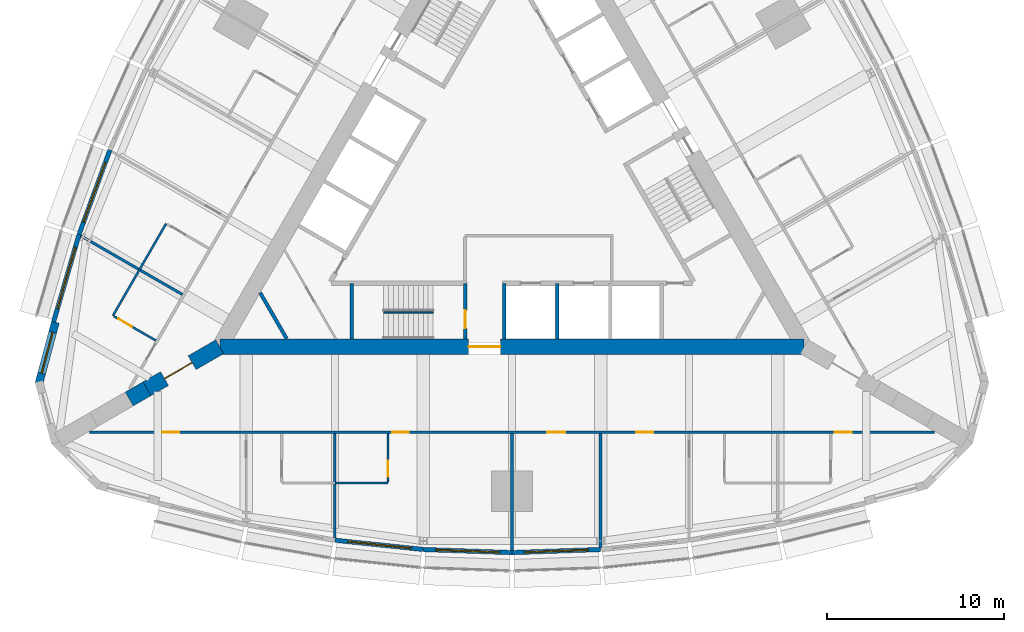
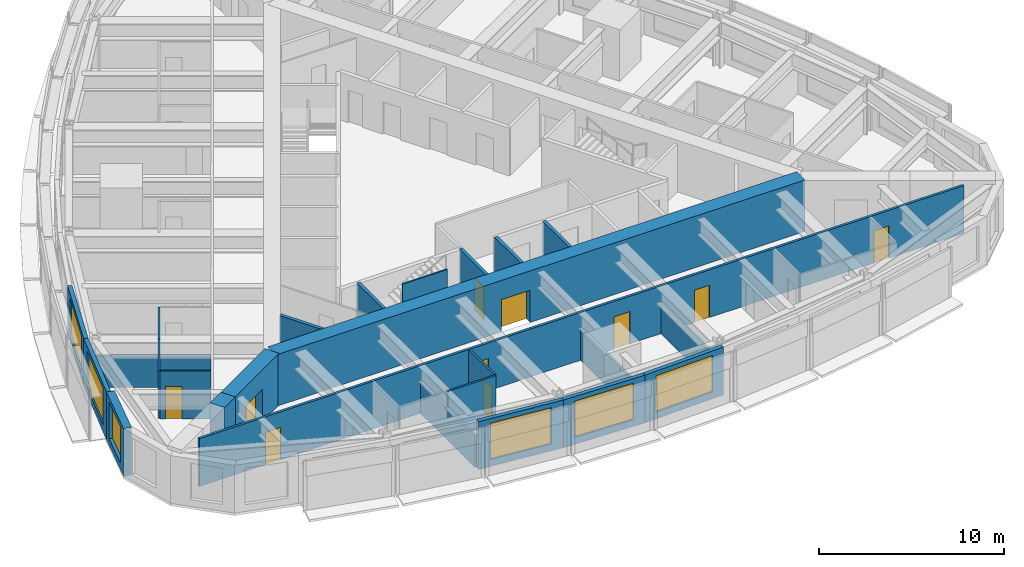
# One storey, part 9 of 15: 25 walls, 10 doors, 6 windows, 16 openings.
"""IFC4 building model written with IfcOpenShell, lengths in metres."""

import ifcopenshell
import ifcopenshell.guid

model = None  # the IFC model being written
_history = None  # IfcOwnerHistory: only IFC2X3 demands one
_inside = {}  # id of a spatial element -> (the spatial element, [elements in it])
_under = {}  # id of a project, library or spatial element -> (it, [spatial elements below it])
_declared = {}  # id of a project -> (the project, [libraries it declares])
_typed = {}  # id of a type object -> (the type object, [elements of that type])
_made_of = {}  # id of a material, layer set ... -> (it, [elements and type objects made of it])


def new_model(schema):
    """Start an empty IFC model of exactly this schema.

    Asked for "IFC4X3", IfcOpenShell would pick the latest addendum, in which some entities
    have other attributes; the version numbers below select the first issue.
    IFC2X3 requires an IfcOwnerHistory on every rooted entity: one is made here for all.
    """
    global model, _history
    if schema == "IFC4X3":
        model = ifcopenshell.file(schema_version=(4, 3, 0, 0))
    else:
        model = ifcopenshell.file(schema=schema)
    _inside.clear()
    _under.clear()
    _declared.clear()
    _typed.clear()
    _made_of.clear()
    _history = None
    if model.schema == "IFC2X3":
        org = make("IfcOrganization", Name="unknown")
        user = make(
            "IfcPersonAndOrganization",
            ThePerson=make("IfcPerson", FamilyName="unknown"),
            TheOrganization=org,
        )
        app = make(
            "IfcApplication",
            ApplicationDeveloper=org,
            Version="unknown",
            ApplicationFullName="unknown",
            ApplicationIdentifier="unknown",
        )
        _history = make(
            "IfcOwnerHistory",
            OwningUser=user,
            OwningApplication=app,
            ChangeAction="ADDED",
            CreationDate=0,
        )
    return model


def make(cls, **values):
    """One entity of the class cls with the attributes given. An attribute that is None is left unset."""
    return model.create_entity(
        cls, **{name: value for name, value in values.items() if value is not None}
    )


def rooted(cls, **values):
    """An entity with a GlobalId (a new one), such as an element, a storey or a relation."""
    return make(cls, GlobalId=ifcopenshell.guid.new(), OwnerHistory=_history, **values)


def si_unit(unit_type, name, prefix=None):
    """IfcSIUnit, for example si_unit("LENGTHUNIT", "METRE", prefix="MILLI")."""
    return make("IfcSIUnit", UnitType=unit_type, Prefix=prefix, Name=name)


def assignment(units):
    """IfcUnitAssignment: the units of a project."""
    return None if units is None else make("IfcUnitAssignment", Units=units)


def point(xyz):
    """IfcCartesianPoint."""
    return None if xyz is None else make("IfcCartesianPoint", Coordinates=xyz)


def direction(xyz):
    """IfcDirection."""
    return None if xyz is None else make("IfcDirection", DirectionRatios=xyz)


def frame(location, z_axis=None, x_axis=None):
    """IfcAxis2Placement3D, a coordinate frame: its origin and axes. An axis left out is left unset."""
    return make(
        "IfcAxis2Placement3D",
        Location=point(location),
        Axis=direction(z_axis),
        RefDirection=direction(x_axis),
    )


def frame_2d(location, x_axis=None):
    """IfcAxis2Placement2D, a coordinate frame in the plane: its origin and x axis."""
    return make(
        "IfcAxis2Placement2D", Location=point(location), RefDirection=direction(x_axis)
    )


def origin():
    """The frame at (0, 0, 0) with its axes left unset."""
    return frame((0.0, 0.0, 0.0))


def place(relative_to, where):
    """IfcLocalPlacement: puts the frame where relative to a parent placement (None: the world)."""
    return make(
        "IfcLocalPlacement", PlacementRelTo=relative_to, RelativePlacement=where
    )


def context(
    kind, dimensions, precision=None, world=None, true_north=None, identifier=None
):
    """IfcGeometricRepresentationContext, for example the 3D "Model" context."""
    return make(
        "IfcGeometricRepresentationContext",
        ContextIdentifier=identifier,
        ContextType=kind,
        CoordinateSpaceDimension=dimensions,
        Precision=precision,
        WorldCoordinateSystem=world,
        TrueNorth=true_north,
    )


def subcontext(parent, identifier, kind, view, scale=None):
    """IfcGeometricRepresentationSubContext, for example "Body" below "Model"."""
    return make(
        "IfcGeometricRepresentationSubContext",
        ContextIdentifier=identifier,
        ContextType=kind,
        ParentContext=parent,
        TargetScale=scale,
        TargetView=view,
    )


def project(units=None, contexts=None):
    """IfcProject with its units and contexts."""
    return rooted(
        "IfcProject",
        Name="project",
        RepresentationContexts=contexts,
        UnitsInContext=assignment(units),
    )


def spatial(cls, under=None, at=None, **own):
    """A site, building, storey or space (cls), placed at a placement, below another one or the project."""
    s = rooted(cls, ObjectPlacement=at, **own)
    if under is not None:
        _under.setdefault(under.id(), (under, []))[1].append(s)
    return s


def profile(cls, at=None, kind="AREA", **sizes):
    """A parametric profile (cls). Its sizes go by their IFC names, for example OverallWidth=200.0."""
    return make(cls, ProfileType=kind, Position=at, **sizes)


def rectangle(**sizes):
    """IfcRectangleProfileDef."""
    return profile("IfcRectangleProfileDef", **sizes)


def extrude(swept, where, along, depth):
    """IfcExtrudedAreaSolid: the profile swept, set in the frame where, extruded along a direction by depth."""
    return make(
        "IfcExtrudedAreaSolid",
        SweptArea=swept,
        Position=where,
        ExtrudedDirection=direction(along),
        Depth=depth,
    )


def shape(context_of_items, identifier, shape_type, items):
    """IfcShapeRepresentation: the items that make up one representation, for example the "Body"."""
    return make(
        "IfcShapeRepresentation",
        ContextOfItems=context_of_items,
        RepresentationIdentifier=identifier,
        RepresentationType=shape_type,
        Items=items,
    )


def material(Name=None, Category=None):
    """IfcMaterial."""
    return make("IfcMaterial", Name=Name, Category=Category)


def layer(
    of_material, thickness, ventilated=None, Name=None, Category=None, Priority=None
):
    """IfcMaterialLayer: one layer of a wall or slab, of a material (None: an air gap)."""
    return make(
        "IfcMaterialLayer",
        Material=of_material,
        LayerThickness=thickness,
        IsVentilated=ventilated,
        Name=Name,
        Category=Category,
        Priority=Priority,
    )


def layer_set(layers, Name=None):
    """IfcMaterialLayerSet."""
    return make("IfcMaterialLayerSet", MaterialLayers=layers, LayerSetName=Name)


def made_of(thing, what):
    """Note that an element or type object is made of a material, layer set ...; save() writes the relation."""
    if what is not None:
        _made_of.setdefault(what.id(), (what, []))[1].append(thing)
    return thing


def type_object(cls, material=None, **own):
    """A type object (cls), such as IfcWallType, which elements share."""
    return made_of(rooted(cls, **own), material)


def element(
    cls,
    number,
    at=None,
    inside=None,
    cuts=None,
    type_object=None,
    material=None,
    context=None,
    identifier="Body",
    shape_type=None,
    held_by="IfcProductDefinitionShape",
    body=None,
    shapes=None,
    **own,
):
    """One element of the class cls, such as IfcWall. Its Tag is "e" and its number.

    at: its placement. inside: the storey or other place that contains it. cuts: it is an
    opening in that element (IfcRelVoidsElement). A single representation is given by context,
    identifier, shape_type and body (its items); several are given by shapes. held_by: the class
    of the entity that holds the representations. save() writes the other relations.
    """
    e = rooted(cls, Tag="e%d" % number, ObjectPlacement=at, **own)
    if body is not None:
        shapes = [shape(context, identifier, shape_type, body)]
    if shapes is not None:
        e.Representation = make(held_by, Representations=shapes)
    if inside is not None:
        _inside.setdefault(inside.id(), (inside, []))[1].append(e)
    if cuts is not None:
        rooted(
            "IfcRelVoidsElement", RelatingBuildingElement=cuts, RelatedOpeningElement=e
        )
    if type_object is not None:
        _typed.setdefault(type_object.id(), (type_object, []))[1].append(e)
    return made_of(e, material)


def fill(opening, filler):
    """IfcRelFillsElement: the door or window that sits in an opening."""
    return rooted(
        "IfcRelFillsElement",
        RelatingOpeningElement=opening,
        RelatedBuildingElement=filler,
    )


def aggregate(whole, parts):
    """IfcRelAggregates: a whole, such as a stair, and the parts it consists of."""
    return rooted("IfcRelAggregates", RelatingObject=whole, RelatedObjects=parts)


def save(model, path):
    """Write the relations noted so far, then the file.

    IfcRelAggregates (storeys below a building ...), IfcRelContainedInSpatialStructure (elements
    in a storey), IfcRelDefinesByType, IfcRelAssociatesMaterial and IfcRelDeclares: one each for
    every whole, place, type object, material and project.
    """
    for whole, parts in _under.values():
        aggregate(whole, parts)
    for where, things in _inside.values():
        rooted(
            "IfcRelContainedInSpatialStructure",
            RelatedElements=things,
            RelatingStructure=where,
        )
    for kind, things in _typed.values():
        rooted("IfcRelDefinesByType", RelatedObjects=things, RelatingType=kind)
    for what, things in _made_of.values():
        rooted("IfcRelAssociatesMaterial", RelatedObjects=things, RelatingMaterial=what)
    for by, libraries in _declared.values():
        rooted("IfcRelDeclares", RelatingContext=by, RelatedDefinitions=libraries)
    model.write(path)


model = new_model("IFC4")

# Units and contexts
model_context = context("Model", 3, precision=1e-05, world=origin(), true_north=direction((0.0, 1.0)))
body_context = subcontext(model_context, "Body", "Model", "MODEL_VIEW")
ifc_project = project(units=[si_unit("LENGTHUNIT", "METRE"), si_unit("AREAUNIT", "SQUARE_METRE"), si_unit("VOLUMEUNIT", "CUBIC_METRE"), si_unit("PLANEANGLEUNIT", "RADIAN"), si_unit("MASSUNIT", "GRAM", prefix="KILO")], contexts=[model_context])

# Site, building, storey
site_placement = place(None, origin())
site = spatial("IfcSite", under=ifc_project, at=site_placement, CompositionType="ELEMENT")
building_placement = place(site_placement, origin())
building = spatial("IfcBuilding", under=site, at=building_placement, Name="Trikona Tower", CompositionType="ELEMENT")
storey_placement = place(building_placement, frame((0.0, 0.0, 186.10009765625)))
storey = spatial("IfcBuildingStorey", under=building, at=storey_placement, Name="L50", CompositionType="ELEMENT", Elevation=186.10009765625)

# Wall
ifc_material_1 = material(Name="Metal stud and cement board", Category="gypsum")
ifc_layer_1 = layer(ifc_material_1, 0.1201171875)
ifc_layer_set_1 = layer_set([ifc_layer_1], Name="Bathroom wall 120")
wall_type_1 = type_object("IfcWallType", Name="Bathroom wall 120", PredefinedType="PLUMBINGWALL", material=ifc_layer_set_1)
wall_1_placement = place(storey_placement, frame((-10.0, -17.226318359375, 0.0), z_axis=(0.0, 0.0, 1.0), x_axis=(1.0, 0.0, 0.0)))
element("IfcWall", 1, at=wall_1_placement, inside=storey, type_object=wall_type_1, Name="Bathroom wall 5002", PredefinedType="PLUMBINGWALL", context=body_context, shape_type="SweptSolid", body=[
    extrude(rectangle(XDim=3.0, YDim=0.1201171875, at=frame_2d((1.5, 0.0))), origin(), (0.0, 0.0, 1.0), 3.14990234375),
])

# Wall, opening, door
wall_2_placement = place(storey_placement, frame((-7.0, -14.42626953125, 0.0), z_axis=(0.0, 0.0, 1.0), x_axis=(0.0, -1.0, 0.0)))
wall_2 = element("IfcWall", 2, at=wall_2_placement, inside=storey, type_object=wall_type_1, Name="Bathroom wall 5002", PredefinedType="PLUMBINGWALL", context=body_context, shape_type="SweptSolid", body=[
    extrude(rectangle(XDim=2.739990234375, YDim=0.1201171875, at=frame_2d((1.3701171875, 0.0))), origin(), (0.0, 0.0, 1.0), 3.14990234375),
])
opening_1_placement = place(wall_2_placement, frame((1.550048828125, 0.0, 0.0)))
opening_1 = element("IfcOpeningElement", 3, at=opening_1_placement, cuts=wall_2, Name="Opening D2", PredefinedType="OPENING", context=body_context, shape_type="SweptSolid", body=[
    extrude(rectangle(XDim=0.89990234375, YDim=2.1298828125, at=frame_2d((0.449951171875, 1.06494140625))), frame((0.0, 0.070068359375, 0.0), z_axis=(0.0, -1.0, 0.0), x_axis=(1.0, 0.0, 0.0)), (0.0, 0.0, 1.0), 0.14013671875),
])
ifc_material_2 = material(Name="Steel door frame with solid-core timber leaf", Category="steel")
door_type_1 = type_object("IfcDoorType", Name="Bathroom door 900x2130", OperationType="SLIDING_TO_LEFT", PredefinedType="DOOR", material=ifc_material_2)
door_1_placement = place(opening_1_placement, origin())
door_1 = element("IfcDoor", 4, at=door_1_placement, inside=storey, type_object=door_type_1, Name="Bathroom door 5002", OperationType="SLIDING_TO_LEFT", OverallHeight=2.1298828125, OverallWidth=0.89990234375, PredefinedType="DOOR", context=body_context, shape_type="SweptSolid", body=[
    extrude(rectangle(XDim=0.89990234375, YDim=2.1298828125, at=frame_2d((0.449951171875, 1.06494140625))), frame((0.0, 0.02490234375, 0.0), z_axis=(0.0, -1.0, 0.0), x_axis=(1.0, 0.0, 0.0)), (0.0, 0.0, 1.0), 0.050048828125),
])
fill(opening_1, door_1)

# Walls
for number, where, z_axis, x_axis, name in (
    (5, (-19.53271484375, -2.5791015625, 0.0), (0.0, 0.0, 1.0), (-0.499990139034, -0.866031096941, 0.0), "Bathroom wall 5011.1"),
    (6, (-21.03271484375, -5.17724609375, 0.0), (0.0, 0.0, 1.0), (-0.499990139034, -0.866031096941, 0.0), "Bathroom wall 5012"),
):
    element("IfcWall", number, at=place(storey_placement, frame(where, z_axis=z_axis, x_axis=x_axis)), inside=storey, type_object=wall_type_1, Name=name, PredefinedType="PLUMBINGWALL", context=body_context, shape_type="SweptSolid", body=[
        extrude(rectangle(XDim=3.0, YDim=0.1201171875, at=frame_2d((1.5, 0.0))), origin(), (0.0, 0.0, 1.0), 3.14990234375),
    ])

# Wall, opening, door
wall_3_placement = place(storey_placement, frame((-20.10791015625, -9.17529296875, 0.0), z_axis=(0.0, 0.0, 1.0), x_axis=(-0.866035715982, 0.499982138324, 0.0)))
wall_3 = element("IfcWall", 7, at=wall_3_placement, inside=storey, type_object=wall_type_1, Name="Bathroom wall 5012", PredefinedType="PLUMBINGWALL", context=body_context, shape_type="SweptSolid", body=[
    extrude(rectangle(XDim=2.73974609375, YDim=0.1201171875, at=frame_2d((1.369873046875, 0.0))), origin(), (0.0, 0.0, 1.0), 3.14990234375),
])
opening_2_placement = place(wall_3_placement, frame((1.550048828125, 0.0, 0.0)))
opening_2 = element("IfcOpeningElement", 8, at=opening_2_placement, cuts=wall_3, Name="Opening D2", PredefinedType="OPENING", context=body_context, shape_type="SweptSolid", body=[
    extrude(rectangle(XDim=0.89990234375, YDim=2.1298828125, at=frame_2d((0.449951171875, 1.06494140625))), frame((0.0, 0.070068359375, 0.0), z_axis=(0.0, -1.0, 0.0), x_axis=(1.0, 0.0, 0.0)), (0.0, 0.0, 1.0), 0.14013671875),
])
door_2_placement = place(opening_2_placement, origin())
door_2 = element("IfcDoor", 9, at=door_2_placement, inside=storey, type_object=door_type_1, Name="Bathroom door 5012", OperationType="SLIDING_TO_LEFT", OverallHeight=2.1298828125, OverallWidth=0.89990234375, PredefinedType="DOOR", context=body_context, shape_type="SweptSolid", body=[
    extrude(rectangle(XDim=0.89990234375, YDim=2.1298828125, at=frame_2d((0.449951171875, 1.06494140625))), frame((0.0, 0.02490234375, 0.0), z_axis=(0.0, -1.0, 0.0), x_axis=(1.0, 0.0, 0.0)), (0.0, 0.0, 1.0), 0.050048828125),
])
fill(opening_2, door_2)

# Wall, opening, window
ifc_material_3 = material(Name="Brick-faced precast concrete", Category="masonry")
ifc_layer_2 = layer(ifc_material_3, 0.449951171875)
ifc_layer_set_2 = layer_set([ifc_layer_2], Name="Brick-faced corner wall 450")
wall_type_2 = type_object("IfcWallType", Name="Brick-faced corner wall 450", PredefinedType="SOLIDWALL", material=ifc_layer_set_2)
wall_4_placement = place(storey_placement, frame((-25.78271484375, -8.14111328125, 0.0), z_axis=(0.0, 0.0, 1.0), x_axis=(-0.258823421857, -0.965924653531, 0.0)))
wall_4 = element("IfcWall", 10, at=wall_4_placement, inside=storey, type_object=wall_type_2, Name="External wall L50-32", PredefinedType="SOLIDWALL", context=body_context, shape_type="SweptSolid", body=[
    extrude(rectangle(XDim=3.58642578125, YDim=0.449951171875, at=frame_2d((1.793212890625, 0.0))), origin(), (0.0, 0.0, 1.0), 3.14990234375),
])
opening_3_placement = place(wall_4_placement, frame((0.593017578125, 0.0, 0.449951171875)))
opening_3 = element("IfcOpeningElement", 11, at=opening_3_placement, cuts=wall_4, Name="Opening W2424", PredefinedType="OPENING", context=body_context, shape_type="SweptSolid", body=[
    extrude(rectangle(XDim=2.39990234375, YDim=2.39990234375, at=frame_2d((1.199951171875, 1.199951171875))), frame((0.0, 0.23486328125, 0.0), z_axis=(0.0, -1.0, 0.0), x_axis=(1.0, 0.0, 0.0)), (0.0, 0.0, 1.0), 0.469970703125),
])
ifc_material_4 = material(Name="Aluminium-framed double glazing", Category="aluminium")
window_type_1 = type_object("IfcWindowType", Name="Window 2400x2400", PartitioningType="SINGLE_PANEL", PredefinedType="WINDOW", material=ifc_material_4)
window_1_placement = place(opening_3_placement, origin())
window_1 = element("IfcWindow", 12, at=window_1_placement, inside=storey, type_object=window_type_1, Name="Window 5012", OverallHeight=2.39990234375, OverallWidth=2.39990234375, PartitioningType="SINGLE_PANEL", PredefinedType="WINDOW", context=body_context, shape_type="SweptSolid", body=[
    extrude(rectangle(XDim=2.39990234375, YDim=2.39990234375, at=frame_2d((1.199951171875, 1.199951171875))), frame((0.0, 0.030029296875, 0.0), z_axis=(0.0, -1.0, 0.0), x_axis=(1.0, 0.0, 0.0)), (0.0, 0.0, 1.0), 0.06005859375),
])
fill(opening_3, window_1)

# Wall, opening, door
ifc_material_5 = material(Name="Concrete f'c 10000 psi", Category="concrete")
ifc_layer_3 = layer(ifc_material_5, 0.89990234375)
ifc_layer_set_3 = layer_set([ifc_layer_3], Name="Buttress wall 900")
wall_type_3 = type_object("IfcWallType", Name="Buttress wall 900", PredefinedType="SHEAR", material=ifc_layer_set_3)
wall_5_placement = place(storey_placement, frame((-16.5, -9.5263671875, 0.0), z_axis=(0.0, 0.0, 1.0), x_axis=(-0.866031398331, -0.499989616998, 0.0)))
wall_5 = element("IfcWall", 13, at=wall_5_placement, inside=storey, type_object=wall_type_3, Name="Buttress wall 3", PredefinedType="SHEAR", context=body_context, shape_type="SweptSolid", body=[
    extrude(rectangle(XDim=4.74609375, YDim=0.89990234375, at=frame_2d((2.373046875, 0.0))), origin(), (0.0, 0.0, 1.0), 3.39990234375),
])
opening_4_placement = place(wall_5_placement, frame((1.800048828125, 0.0, 0.0)))
opening_4 = element("IfcOpeningElement", 14, at=opening_4_placement, cuts=wall_5, Name="Opening D10", PredefinedType="OPENING", context=body_context, shape_type="SweptSolid", body=[
    extrude(rectangle(XDim=1.800048828125, YDim=2.1298828125, at=frame_2d((0.89990234375, 1.06494140625))), frame((0.0, 0.4599609375, 0.0), z_axis=(0.0, -1.0, 0.0), x_axis=(1.0, 0.0, 0.0)), (0.0, 0.0, 1.0), 0.919921875),
])
ifc_material_6 = material(Name="Hollow metal door and frame", Category="steel")
door_type_2 = type_object("IfcDoorType", Name="Cross-corridor door pair 1800x2130", OperationType="DOUBLE_DOOR_DOUBLE_SWING", PredefinedType="DOOR", material=ifc_material_6)
door_3_placement = place(opening_4_placement, origin())
door_3 = element("IfcDoor", 15, at=door_3_placement, inside=storey, type_object=door_type_2, Name="Cross-corridor door 3", OperationType="DOUBLE_DOOR_DOUBLE_SWING", OverallHeight=2.1298828125, OverallWidth=1.800048828125, PredefinedType="DOOR", context=body_context, shape_type="SweptSolid", body=[
    extrude(rectangle(XDim=1.800048828125, YDim=2.1298828125, at=frame_2d((0.89990234375, 1.06494140625))), frame((0.0, 0.02490234375, 0.0), z_axis=(0.0, -1.0, 0.0), x_axis=(1.0, 0.0, 0.0)), (0.0, 0.0, 1.0), 0.050048828125),
])
fill(opening_4, door_3)

# Wall
wall_6_placement = place(storey_placement, frame((-20.6103515625, -11.8994140625, 0.0), z_axis=(0.0, 0.0, 1.0), x_axis=(-0.866009537788, -0.500027479704, 0.0)))
element("IfcWall", 16, at=wall_6_placement, inside=storey, type_object=wall_type_3, Name="Buttress wall 3 part 2", PredefinedType="SHEAR", context=body_context, shape_type="SweptSolid", body=[
    extrude(rectangle(XDim=1.15478515625, YDim=0.89990234375, at=frame_2d((0.577392578125, 0.0))), origin(), (0.0, 0.0, 1.0), 3.39990234375),
])

# Wall, opening, door
ifc_material_7 = material(Name="Concrete f'c 10000 psi", Category="concrete")
ifc_layer_4 = layer(ifc_material_7, 0.89990234375)
ifc_layer_set_4 = layer_set([ifc_layer_4], Name="Core wall 900")
wall_type_4 = type_object("IfcWallType", Name="Core wall 900", PredefinedType="SHEAR", material=ifc_layer_set_4)
wall_7_placement = place(storey_placement, frame((-16.5, -9.5263671875, 0.0), z_axis=(0.0, 0.0, 1.0), x_axis=(1.0, 0.0, 0.0)))
wall_7 = element("IfcWall", 17, at=wall_7_placement, inside=storey, type_object=wall_type_4, Name="Core wall A", PredefinedType="SHEAR", context=body_context, shape_type="SweptSolid", body=[
    extrude(rectangle(XDim=33.0, YDim=0.89990234375, at=frame_2d((16.5, 0.0))), origin(), (0.0, 0.0, 1.0), 3.39990234375),
])
opening_5_placement = place(wall_7_placement, frame((14.050048828125, 0.0, 0.0)))
opening_5 = element("IfcOpeningElement", 18, at=opening_5_placement, cuts=wall_7, Name="Opening D6", PredefinedType="OPENING", context=body_context, shape_type="SweptSolid", body=[
    extrude(rectangle(XDim=1.800048828125, YDim=2.1298828125, at=frame_2d((0.89990234375, 1.06494140625))), frame((0.0, 0.4599609375, 0.0), z_axis=(0.0, -1.0, 0.0), x_axis=(1.0, 0.0, 0.0)), (0.0, 0.0, 1.0), 0.919921875),
])
ifc_material_8 = material(Name="Hollow metal door and frame", Category="steel")
door_type_3 = type_object("IfcDoorType", Name="Lobby door pair 1800x2130", OperationType="DOUBLE_DOOR_SINGLE_SWING", PredefinedType="DOOR", material=ifc_material_8)
door_4_placement = place(opening_5_placement, origin())
door_4 = element("IfcDoor", 19, at=door_4_placement, inside=storey, type_object=door_type_3, Name="Fire service lift lobby door", OperationType="DOUBLE_DOOR_SINGLE_SWING", OverallHeight=2.1298828125, OverallWidth=1.800048828125, PredefinedType="DOOR", context=body_context, shape_type="SweptSolid", body=[
    extrude(rectangle(XDim=1.800048828125, YDim=2.1298828125, at=frame_2d((0.89990234375, 1.06494140625))), frame((0.0, 0.02490234375, 0.0), z_axis=(0.0, -1.0, 0.0), x_axis=(1.0, 0.0, 0.0)), (0.0, 0.0, 1.0), 0.050048828125),
])
fill(opening_5, door_4)

# Wall, openings, doors
ifc_material_9 = material(Name="Metal stud and gypsum board, 1-hour", Category="gypsum")
ifc_layer_5 = layer(ifc_material_9, 0.14990234375)
ifc_layer_set_5 = layer_set([ifc_layer_5], Name="Corridor wall 150")
wall_type_5 = type_object("IfcWallType", Name="Corridor wall 150", PredefinedType="PARTITIONING", material=ifc_layer_set_5)
wall_8_placement = place(storey_placement, frame((-23.857177734375, -14.351318359375, 0.0), z_axis=(0.0, 0.0, 1.0), x_axis=(1.0, 0.0, 0.0)))
wall_8 = element("IfcWall", 20, at=wall_8_placement, inside=storey, type_object=wall_type_5, Name="Corridor wall L50-1", PredefinedType="PARTITIONING", context=body_context, shape_type="SweptSolid", body=[
    extrude(rectangle(XDim=47.71435546875, YDim=0.14990234375, at=frame_2d((23.857177734375, 0.0))), origin(), (0.0, 0.0, 1.0), 3.14990234375),
])
opening_6_placement = place(wall_8_placement, frame((4.123291015625, 0.0, 0.0)))
opening_6 = element("IfcOpeningElement", 21, at=opening_6_placement, cuts=wall_8, Name="Opening D1", PredefinedType="OPENING", context=body_context, shape_type="SweptSolid", body=[
    extrude(rectangle(XDim=0.949951171875, YDim=2.1298828125, at=frame_2d((0.47509765625, 1.06494140625))), frame((0.0, 0.0849609375, 0.0), z_axis=(0.0, -1.0, 0.0), x_axis=(1.0, 0.0, 0.0)), (0.0, 0.0, 1.0), 0.169921875),
])
opening_7_placement = place(wall_8_placement, frame((17.08203125, 0.0, 0.0)))
opening_7 = element("IfcOpeningElement", 22, at=opening_7_placement, cuts=wall_8, Name="Opening D1", PredefinedType="OPENING", context=body_context, shape_type="SweptSolid", body=[
    extrude(rectangle(XDim=0.949951171875, YDim=2.1298828125, at=frame_2d((0.47509765625, 1.06494140625))), frame((0.0, 0.0849609375, 0.0), z_axis=(0.0, -1.0, 0.0), x_axis=(1.0, 0.0, 0.0)), (0.0, 0.0, 1.0), 0.169921875),
])
opening_8_placement = place(wall_8_placement, frame((25.857177734375, 0.0, 0.0)))
opening_8 = element("IfcOpeningElement", 23, at=opening_8_placement, cuts=wall_8, Name="Opening D3", PredefinedType="OPENING", context=body_context, shape_type="SweptSolid", body=[
    extrude(rectangle(XDim=1.0, YDim=2.1298828125, at=frame_2d((0.5, 1.06494140625))), frame((0.0, 0.0849609375, 0.0), z_axis=(0.0, -1.0, 0.0), x_axis=(1.0, 0.0, 0.0)), (0.0, 0.0, 1.0), 0.169921875),
])
opening_9_placement = place(wall_8_placement, frame((30.882080078125, 0.0, 0.0)))
opening_9 = element("IfcOpeningElement", 24, at=opening_9_placement, cuts=wall_8, Name="Opening D1", PredefinedType="OPENING", context=body_context, shape_type="SweptSolid", body=[
    extrude(rectangle(XDim=0.949951171875, YDim=2.1298828125, at=frame_2d((0.47509765625, 1.06494140625))), frame((0.0, 0.0849609375, 0.0), z_axis=(0.0, -1.0, 0.0), x_axis=(1.0, 0.0, 0.0)), (0.0, 0.0, 1.0), 0.169921875),
])
opening_10_placement = place(wall_8_placement, frame((42.08203125, 0.0, 0.0)))
opening_10 = element("IfcOpeningElement", 25, at=opening_10_placement, cuts=wall_8, Name="Opening D1", PredefinedType="OPENING", context=body_context, shape_type="SweptSolid", body=[
    extrude(rectangle(XDim=0.949951171875, YDim=2.1298828125, at=frame_2d((0.47509765625, 1.06494140625))), frame((0.0, 0.0849609375, 0.0), z_axis=(0.0, -1.0, 0.0), x_axis=(1.0, 0.0, 0.0)), (0.0, 0.0, 1.0), 0.169921875),
])
ifc_material_10 = material(Name="Steel door frame with solid-core timber leaf", Category="steel")
door_type_4 = type_object("IfcDoorType", Name="Guest room door 950x2130", OperationType="SINGLE_SWING_LEFT", PredefinedType="DOOR", material=ifc_material_10)
door_5_placement = place(opening_6_placement, origin())
door_5 = element("IfcDoor", 26, at=door_5_placement, inside=storey, type_object=door_type_4, Name="Room door 5001", OperationType="SINGLE_SWING_LEFT", OverallHeight=2.1298828125, OverallWidth=0.949951171875, PredefinedType="DOOR", context=body_context, shape_type="SweptSolid", body=[
    extrude(rectangle(XDim=0.949951171875, YDim=2.1298828125, at=frame_2d((0.47509765625, 1.06494140625))), frame((0.0, 0.02490234375, 0.0), z_axis=(0.0, -1.0, 0.0), x_axis=(1.0, 0.0, 0.0)), (0.0, 0.0, 1.0), 0.050048828125),
])
fill(opening_6, door_5)
door_6_placement = place(opening_7_placement, origin())
door_6 = element("IfcDoor", 27, at=door_6_placement, inside=storey, type_object=door_type_4, Name="Room door 5002", OperationType="SINGLE_SWING_RIGHT", OverallHeight=2.1298828125, OverallWidth=0.949951171875, PredefinedType="DOOR", context=body_context, shape_type="SweptSolid", body=[
    extrude(rectangle(XDim=0.949951171875, YDim=2.1298828125, at=frame_2d((0.47509765625, 1.06494140625))), frame((0.0, 0.02490234375, 0.0), z_axis=(0.0, -1.0, 0.0), x_axis=(1.0, 0.0, 0.0)), (0.0, 0.0, 1.0), 0.050048828125),
])
fill(opening_7, door_6)
door_7_placement = place(opening_9_placement, origin())
door_7 = element("IfcDoor", 28, at=door_7_placement, inside=storey, type_object=door_type_4, Name="Room door 5003", OperationType="SINGLE_SWING_RIGHT", OverallHeight=2.1298828125, OverallWidth=0.949951171875, PredefinedType="DOOR", context=body_context, shape_type="SweptSolid", body=[
    extrude(rectangle(XDim=0.949951171875, YDim=2.1298828125, at=frame_2d((0.47509765625, 1.06494140625))), frame((0.0, 0.02490234375, 0.0), z_axis=(0.0, -1.0, 0.0), x_axis=(1.0, 0.0, 0.0)), (0.0, 0.0, 1.0), 0.050048828125),
])
fill(opening_9, door_7)
door_8_placement = place(opening_10_placement, origin())
door_8 = element("IfcDoor", 29, at=door_8_placement, inside=storey, type_object=door_type_4, Name="Room door 5004", OperationType="SINGLE_SWING_LEFT", OverallHeight=2.1298828125, OverallWidth=0.949951171875, PredefinedType="DOOR", context=body_context, shape_type="SweptSolid", body=[
    extrude(rectangle(XDim=0.949951171875, YDim=2.1298828125, at=frame_2d((0.47509765625, 1.06494140625))), frame((0.0, 0.02490234375, 0.0), z_axis=(0.0, -1.0, 0.0), x_axis=(1.0, 0.0, 0.0)), (0.0, 0.0, 1.0), 0.050048828125),
])
fill(opening_10, door_8)
ifc_material_11 = material(Name="Steel door frame with solid-core timber leaf", Category="steel")
door_type_5 = type_object("IfcDoorType", Name="Room door 1000x2130", OperationType="SINGLE_SWING_LEFT", PredefinedType="DOOR", material=ifc_material_11)
door_9_placement = place(opening_8_placement, origin())
door_9 = element("IfcDoor", 30, at=door_9_placement, inside=storey, type_object=door_type_5, Name="Door Housekeeping pantry", OperationType="SINGLE_SWING_LEFT", OverallHeight=2.1298828125, OverallWidth=1.0, PredefinedType="DOOR", context=body_context, shape_type="SweptSolid", body=[
    extrude(rectangle(XDim=1.0, YDim=2.1298828125, at=frame_2d((0.5, 1.06494140625))), frame((0.0, 0.02490234375, 0.0), z_axis=(0.0, -1.0, 0.0), x_axis=(1.0, 0.0, 0.0)), (0.0, 0.0, 1.0), 0.050048828125),
])
fill(opening_8, door_9)

# Wall, opening, window
ifc_material_12 = material(Name="Insulated precast concrete spandrel panel", Category="concrete")
ifc_layer_6 = layer(ifc_material_12, 0.25)
ifc_layer_set_6 = layer_set([ifc_layer_6], Name="Inner skin wall 250")
wall_type_6 = type_object("IfcWallType", Name="Inner skin wall 250", PredefinedType="STANDARD", material=ifc_layer_set_6)
wall_9_placement = place(storey_placement, frame((-9.98681640625, -20.450927734375, 0.0), z_axis=(0.0, 0.0, 1.0), x_axis=(0.994534683851, -0.104406717299, 0.0)))
wall_9 = element("IfcWall", 31, at=wall_9_placement, inside=storey, type_object=wall_type_6, Name="External wall L50-02", PredefinedType="STANDARD", context=body_context, shape_type="SweptSolid", body=[
    extrude(rectangle(XDim=5.027587890625, YDim=0.25, at=frame_2d((2.513671875, 0.0))), origin(), (0.0, 0.0, 1.0), 3.14990234375),
])
opening_11_placement = place(wall_9_placement, frame((0.713623046875, 0.0, 0.449951171875)))
opening_11 = element("IfcOpeningElement", 32, at=opening_11_placement, cuts=wall_9, Name="Opening W3624", PredefinedType="OPENING", context=body_context, shape_type="SweptSolid", body=[
    extrude(rectangle(XDim=3.60009765625, YDim=2.39990234375, at=frame_2d((1.800048828125, 1.199951171875))), frame((0.0, 0.135009765625, 0.0), z_axis=(0.0, -1.0, 0.0), x_axis=(1.0, 0.0, 0.0)), (0.0, 0.0, 1.0), 0.27001953125),
])
ifc_material_13 = material(Name="Aluminium-framed double glazing", Category="aluminium")
window_type_2 = type_object("IfcWindowType", Name="Window 3600x2400", PartitioningType="SINGLE_PANEL", PredefinedType="WINDOW", material=ifc_material_13)
window_2_placement = place(opening_11_placement, origin())
window_2 = element("IfcWindow", 33, at=window_2_placement, inside=storey, type_object=window_type_2, Name="Window 5002", OverallHeight=2.39990234375, OverallWidth=3.60009765625, PartitioningType="SINGLE_PANEL", PredefinedType="WINDOW", context=body_context, shape_type="SweptSolid", body=[
    extrude(rectangle(XDim=3.60009765625, YDim=2.39990234375, at=frame_2d((1.800048828125, 1.199951171875))), frame((0.0, 0.030029296875, 0.0), z_axis=(0.0, -1.0, 0.0), x_axis=(1.0, 0.0, 0.0)), (0.0, 0.0, 1.0), 0.06005859375),
])
fill(opening_11, window_2)

wall_10_placement = place(storey_placement, frame((-4.99560546875, -20.975341796875, 0.0), z_axis=(0.0, 0.0, 1.0), x_axis=(0.999387720943, -0.034988329879, 0.0)))
wall_10 = element("IfcWall", 34, at=wall_10_placement, inside=storey, type_object=wall_type_6, Name="External wall L50-03", PredefinedType="STANDARD", context=body_context, shape_type="SweptSolid", body=[
    extrude(rectangle(XDim=5.003173828125, YDim=0.25, at=frame_2d((2.50146484375, 0.0))), origin(), (0.0, 0.0, 1.0), 3.14990234375),
])
opening_12_placement = place(wall_10_placement, frame((0.701416015625, 0.0, 0.449951171875)))
opening_12 = element("IfcOpeningElement", 35, at=opening_12_placement, cuts=wall_10, Name="Opening W3624", PredefinedType="OPENING", context=body_context, shape_type="SweptSolid", body=[
    extrude(rectangle(XDim=3.60009765625, YDim=2.39990234375, at=frame_2d((1.800048828125, 1.199951171875))), frame((0.0, 0.135009765625, 0.0), z_axis=(0.0, -1.0, 0.0), x_axis=(1.0, 0.0, 0.0)), (0.0, 0.0, 1.0), 0.27001953125),
])
window_3_placement = place(opening_12_placement, origin())
window_3 = element("IfcWindow", 36, at=window_3_placement, inside=storey, type_object=window_type_2, Name="Window 5002", OverallHeight=2.39990234375, OverallWidth=3.60009765625, PartitioningType="SINGLE_PANEL", PredefinedType="WINDOW", context=body_context, shape_type="SweptSolid", body=[
    extrude(rectangle(XDim=3.60009765625, YDim=2.39990234375, at=frame_2d((1.800048828125, 1.199951171875))), frame((0.0, 0.030029296875, 0.0), z_axis=(0.0, -1.0, 0.0), x_axis=(1.0, 0.0, 0.0)), (0.0, 0.0, 1.0), 0.06005859375),
])
fill(opening_12, window_3)

wall_11_placement = place(storey_placement, frame((-0.00439453125, -21.150390625, 0.0), z_axis=(0.0, 0.0, 1.0), x_axis=(0.999387720943, 0.034988329879, 0.0)))
wall_11 = element("IfcWall", 37, at=wall_11_placement, inside=storey, type_object=wall_type_6, Name="External wall L50-04", PredefinedType="STANDARD", context=body_context, shape_type="SweptSolid", body=[
    extrude(rectangle(XDim=5.003173828125, YDim=0.25, at=frame_2d((2.50146484375, 0.0))), origin(), (0.0, 0.0, 1.0), 3.14990234375),
])
opening_13_placement = place(wall_11_placement, frame((0.701416015625, 0.0, 0.449951171875)))
opening_13 = element("IfcOpeningElement", 38, at=opening_13_placement, cuts=wall_11, Name="Opening W3624", PredefinedType="OPENING", context=body_context, shape_type="SweptSolid", body=[
    extrude(rectangle(XDim=3.60009765625, YDim=2.39990234375, at=frame_2d((1.800048828125, 1.199951171875))), frame((0.0, 0.135009765625, 0.0), z_axis=(0.0, -1.0, 0.0), x_axis=(1.0, 0.0, 0.0)), (0.0, 0.0, 1.0), 0.27001953125),
])
window_4_placement = place(opening_13_placement, origin())
window_4 = element("IfcWindow", 39, at=window_4_placement, inside=storey, type_object=window_type_2, Name="Window L50-HKP", OverallHeight=2.39990234375, OverallWidth=3.60009765625, PartitioningType="SINGLE_PANEL", PredefinedType="WINDOW", context=body_context, shape_type="SweptSolid", body=[
    extrude(rectangle(XDim=3.60009765625, YDim=2.39990234375, at=frame_2d((1.800048828125, 1.199951171875))), frame((0.0, 0.030029296875, 0.0), z_axis=(0.0, -1.0, 0.0), x_axis=(1.0, 0.0, 0.0)), (0.0, 0.0, 1.0), 0.06005859375),
])
fill(opening_13, window_4)

wall_12_placement = place(storey_placement, frame((-22.701416015625, 1.58447265625, 0.0), z_axis=(0.0, 0.0, 1.0), x_axis=(-0.343225593282, -0.939252996863, 0.0)))
wall_12 = element("IfcWall", 40, at=wall_12_placement, inside=storey, type_object=wall_type_6, Name="External wall L50-30", PredefinedType="STANDARD", context=body_context, shape_type="SweptSolid", body=[
    extrude(rectangle(XDim=5.075927734375, YDim=0.25, at=frame_2d((2.5380859375, 0.0))), origin(), (0.0, 0.0, 1.0), 3.14990234375),
])
opening_14_placement = place(wall_12_placement, frame((0.738037109375, 0.0, 0.449951171875)))
opening_14 = element("IfcOpeningElement", 41, at=opening_14_placement, cuts=wall_12, Name="Opening W3624", PredefinedType="OPENING", context=body_context, shape_type="SweptSolid", body=[
    extrude(rectangle(XDim=3.60009765625, YDim=2.39990234375, at=frame_2d((1.800048828125, 1.199951171875))), frame((0.0, 0.135009765625, 0.0), z_axis=(0.0, -1.0, 0.0), x_axis=(1.0, 0.0, 0.0)), (0.0, 0.0, 1.0), 0.27001953125),
])
window_5_placement = place(opening_14_placement, origin())
window_5 = element("IfcWindow", 42, at=window_5_placement, inside=storey, type_object=window_type_2, Name="Window 5011.1", OverallHeight=2.39990234375, OverallWidth=3.60009765625, PartitioningType="SINGLE_PANEL", PredefinedType="WINDOW", context=body_context, shape_type="SweptSolid", body=[
    extrude(rectangle(XDim=3.60009765625, YDim=2.39990234375, at=frame_2d((1.800048828125, 1.199951171875))), frame((0.0, 0.030029296875, 0.0), z_axis=(0.0, -1.0, 0.0), x_axis=(1.0, 0.0, 0.0)), (0.0, 0.0, 1.0), 0.06005859375),
])
fill(opening_14, window_5)

wall_13_placement = place(storey_placement, frame((-24.44091796875, -3.17529296875, 0.0), z_axis=(0.0, 0.0, 1.0), x_axis=(-0.279528287117, -0.960137457191, 0.0)))
wall_13 = element("IfcWall", 43, at=wall_13_placement, inside=storey, type_object=wall_type_6, Name="External wall L50-31", PredefinedType="STANDARD", context=body_context, shape_type="SweptSolid", body=[
    extrude(rectangle(XDim=5.14794921875, YDim=0.25, at=frame_2d((2.573974609375, 0.0))), origin(), (0.0, 0.0, 1.0), 3.14990234375),
])
opening_15_placement = place(wall_13_placement, frame((0.77392578125, 0.0, 0.449951171875)))
opening_15 = element("IfcOpeningElement", 44, at=opening_15_placement, cuts=wall_13, Name="Opening W3624", PredefinedType="OPENING", context=body_context, shape_type="SweptSolid", body=[
    extrude(rectangle(XDim=3.60009765625, YDim=2.39990234375, at=frame_2d((1.800048828125, 1.199951171875))), frame((0.0, 0.135009765625, 0.0), z_axis=(0.0, -1.0, 0.0), x_axis=(1.0, 0.0, 0.0)), (0.0, 0.0, 1.0), 0.27001953125),
])
window_6_placement = place(opening_15_placement, origin())
window_6 = element("IfcWindow", 45, at=window_6_placement, inside=storey, type_object=window_type_2, Name="Window 5012", OverallHeight=2.39990234375, OverallWidth=3.60009765625, PartitioningType="SINGLE_PANEL", PredefinedType="WINDOW", context=body_context, shape_type="SweptSolid", body=[
    extrude(rectangle(XDim=3.60009765625, YDim=2.39990234375, at=frame_2d((1.800048828125, 1.199951171875))), frame((0.0, 0.030029296875, 0.0), z_axis=(0.0, -1.0, 0.0), x_axis=(1.0, 0.0, 0.0)), (0.0, 0.0, 1.0), 0.06005859375),
])
fill(opening_15, window_6)

# Walls
ifc_material_14 = material(Name="Metal stud and gypsum board, 1-hour acoustic", Category="gypsum")
ifc_layer_7 = layer(ifc_material_14, 0.14990234375)
ifc_layer_set_7 = layer_set([ifc_layer_7], Name="Party wall 150")
wall_type_7 = type_object("IfcWallType", Name="Party wall 150", PredefinedType="PARTITIONING", material=ifc_layer_set_7)
wall_14_placement = place(storey_placement, frame((-10.0, -14.42626953125, 0.0), z_axis=(0.0, 0.0, 1.0), x_axis=(0.0, -1.0, 0.0)))
element("IfcWall", 46, at=wall_14_placement, inside=storey, type_object=wall_type_7, Name="Partition L50 F1 u-10", PredefinedType="PARTITIONING", context=body_context, shape_type="SweptSolid", body=[
    extrude(rectangle(XDim=5.89501953125, YDim=0.14990234375, at=frame_2d((2.947509765625, 0.0))), origin(), (0.0, 0.0, 1.0), 2.1083984375),
])
wall_15_placement = place(storey_placement, frame((0.0, -14.42626953125, 0.0), z_axis=(0.0, 0.0, 1.0), x_axis=(0.0, -1.0, 0.0)))
element("IfcWall", 47, at=wall_15_placement, inside=storey, type_object=wall_type_7, Name="Partition L50 F1 u-9.86076e-31", PredefinedType="PARTITIONING", context=body_context, shape_type="SweptSolid", body=[
    extrude(rectangle(XDim=6.5986328125, YDim=0.14990234375, at=frame_2d((3.29931640625, 0.0))), origin(), (0.0, 0.0, 1.0), 2.1083984375),
])
wall_16_placement = place(storey_placement, frame((5.0, -14.42626953125, 0.0), z_axis=(0.0, 0.0, 1.0), x_axis=(0.0, -1.0, 0.0)))
element("IfcWall", 48, at=wall_16_placement, inside=storey, type_object=wall_type_7, Name="Partition L50 F1 u5", PredefinedType="PARTITIONING", context=body_context, shape_type="SweptSolid", body=[
    extrude(rectangle(XDim=6.422607421875, YDim=0.14990234375, at=frame_2d((3.21142578125, 0.0))), origin(), (0.0, 0.0, 1.0), 2.0498046875),
])
wall_17_placement = place(storey_placement, frame((-18.60791015625, -6.5771484375, 0.0), z_axis=(0.0, 0.0, 1.0), x_axis=(-0.866031967744, 0.499988630717, 0.0)))
element("IfcWall", 49, at=wall_17_placement, inside=storey, type_object=wall_type_7, Name="Partition L50 F3 u15", PredefinedType="PARTITIONING", context=body_context, shape_type="SweptSolid", body=[
    extrude(rectangle(XDim=6.616455078125, YDim=0.14990234375, at=frame_2d((3.30810546875, 0.0))), origin(), (0.0, 0.0, 1.0), 2.0498046875),
])
ifc_material_15 = material(Name="Concrete f'c 8000 psi", Category="concrete")
ifc_layer_8 = layer(ifc_material_15, 0.199951171875)
ifc_layer_set_8 = layer_set([ifc_layer_8], Name="Shaft wall 200")
wall_type_8 = type_object("IfcWallType", Name="Shaft wall 200", PredefinedType="SOLIDWALL", material=ifc_layer_set_8)
for number, where, z_axis, x_axis, name in (
    (50, (-0.449951171875, -5.951416015625, 0.0), (0.0, 0.0, 1.0), (0.0, -1.0, 0.0), "Shaft wall A3"),
    (51, (2.550048828125, -5.951416015625, 0.0), (0.0, 0.0, 1.0), (0.0, -1.0, 0.0), "Shaft wall A4"),
):
    element("IfcWall", number, at=place(storey_placement, frame(where, z_axis=z_axis, x_axis=x_axis)), inside=storey, type_object=wall_type_8, Name=name, PredefinedType="SOLIDWALL", context=body_context, shape_type="SweptSolid", body=[
        extrude(rectangle(XDim=3.125, YDim=0.199951171875, at=frame_2d((1.5625, 0.0))), origin(), (0.0, 0.0, 1.0), 3.14990234375),
    ])
wall_18_placement = place(storey_placement, frame((-12.718505859375, -9.076416015625, 0.0), z_axis=(0.0, 0.0, 1.0), x_axis=(-0.499952404951, 0.866052881055, 0.0)))
element("IfcWall", 52, at=wall_18_placement, inside=storey, type_object=wall_type_8, Name="Riser wall L50-RS3", PredefinedType="SOLIDWALL", context=body_context, shape_type="SweptSolid", body=[
    extrude(rectangle(XDim=3.002197265625, YDim=0.199951171875, at=frame_2d((1.5009765625, 0.0))), origin(), (0.0, 0.0, 1.0), 3.14990234375),
])
ifc_material_16 = material(Name="Concrete f'c 8000 psi", Category="concrete")
ifc_layer_9 = layer(ifc_material_16, 0.199951171875)
ifc_layer_set_9 = layer_set([ifc_layer_9], Name="Shaft wall 200 load-bearing")
wall_type_9 = type_object("IfcWallType", Name="Shaft wall 200 load-bearing", PredefinedType="SOLIDWALL", material=ifc_layer_set_9)
wall_19_placement = place(storey_placement, frame((-9.050048828125, -5.951416015625, 0.0), z_axis=(0.0, 0.0, 1.0), x_axis=(0.0, -1.0, 0.0)))
element("IfcWall", 53, at=wall_19_placement, inside=storey, type_object=wall_type_9, Name="Shaft wall A1", PredefinedType="SOLIDWALL", context=body_context, shape_type="SweptSolid", body=[
    extrude(rectangle(XDim=3.125, YDim=0.199951171875, at=frame_2d((1.5625, 0.0))), origin(), (0.0, 0.0, 1.0), 3.14990234375),
])

# Wall, opening, door
wall_20_placement = place(storey_placement, frame((-2.64990234375, -5.951416015625, 0.0), z_axis=(0.0, 0.0, 1.0), x_axis=(0.0, -1.0, 0.0)))
wall_20 = element("IfcWall", 54, at=wall_20_placement, inside=storey, type_object=wall_type_9, Name="Shaft wall A2", PredefinedType="SOLIDWALL", context=body_context, shape_type="SweptSolid", body=[
    extrude(rectangle(XDim=3.125, YDim=0.199951171875, at=frame_2d((1.5625, 0.0))), origin(), (0.0, 0.0, 1.0), 3.14990234375),
])
opening_16_placement = place(wall_20_placement, frame((1.52490234375, 0.0, 0.0)))
opening_16 = element("IfcOpeningElement", 55, at=opening_16_placement, cuts=wall_20, Name="Opening D5", PredefinedType="OPENING", context=body_context, shape_type="SweptSolid", body=[
    extrude(rectangle(XDim=1.0, YDim=2.1298828125, at=frame_2d((0.5, 1.06494140625))), frame((0.0, 0.10986328125, 0.0), z_axis=(0.0, -1.0, 0.0), x_axis=(1.0, 0.0, 0.0)), (0.0, 0.0, 1.0), 0.219970703125),
])
ifc_material_17 = material(Name="Hollow metal door and frame", Category="steel")
door_type_6 = type_object("IfcDoorType", Name="Stair door 1000x2130", OperationType="SINGLE_SWING_LEFT", PredefinedType="DOOR", material=ifc_material_17)
door_10_placement = place(opening_16_placement, origin())
door_10 = element("IfcDoor", 56, at=door_10_placement, inside=storey, type_object=door_type_6, Name="Stair A door", OperationType="SINGLE_SWING_RIGHT", OverallHeight=2.1298828125, OverallWidth=1.0, PredefinedType="DOOR", context=body_context, shape_type="SweptSolid", body=[
    extrude(rectangle(XDim=1.0, YDim=2.1298828125, at=frame_2d((0.5, 1.06494140625))), frame((0.0, 0.02490234375, 0.0), z_axis=(0.0, -1.0, 0.0), x_axis=(1.0, 0.0, 0.0)), (0.0, 0.0, 1.0), 0.050048828125),
])
fill(opening_16, door_10)

# Wall
ifc_material_18 = material(Name="Concrete f'c 5000 psi", Category="concrete")
ifc_layer_10 = layer(ifc_material_18, 0.10009765625)
ifc_layer_set_10 = layer_set([ifc_layer_10], Name="Stair spine wall 100")
wall_type_10 = type_object("IfcWallType", Name="Stair spine wall 100", PredefinedType="SOLIDWALL", material=ifc_layer_set_10)
wall_21_placement = place(storey_placement, frame((-7.2470703125, -7.576416015625, 0.0), z_axis=(0.0, 0.0, 1.0), x_axis=(1.0, 0.0, 0.0)))
element("IfcWall", 57, at=wall_21_placement, inside=storey, type_object=wall_type_10, Name="Stair A spine wall L50", PredefinedType="SOLIDWALL", context=body_context, shape_type="SweptSolid", body=[
    extrude(rectangle(XDim=2.794189453125, YDim=0.10009765625, at=frame_2d((1.39697265625, 0.0))), origin(), (0.0, 0.0, 1.0), 3.39990234375),
])

save(model, "model.ifc")
